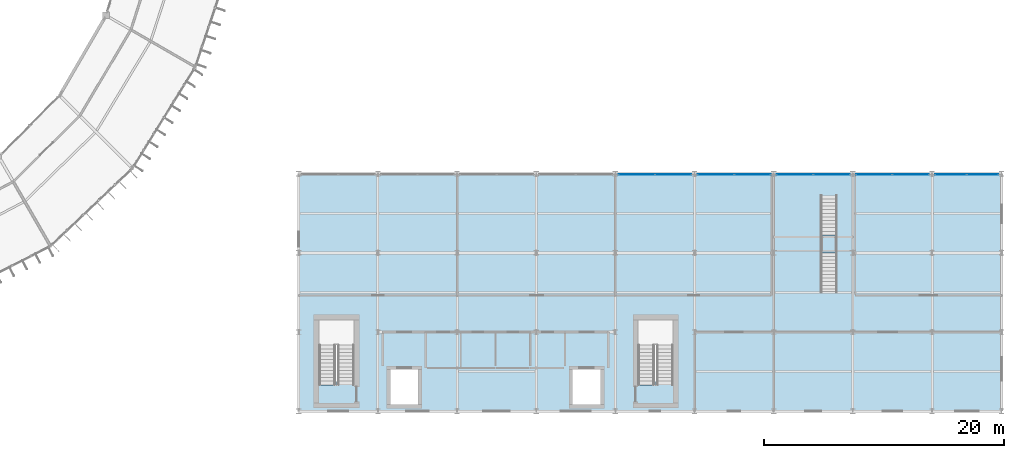
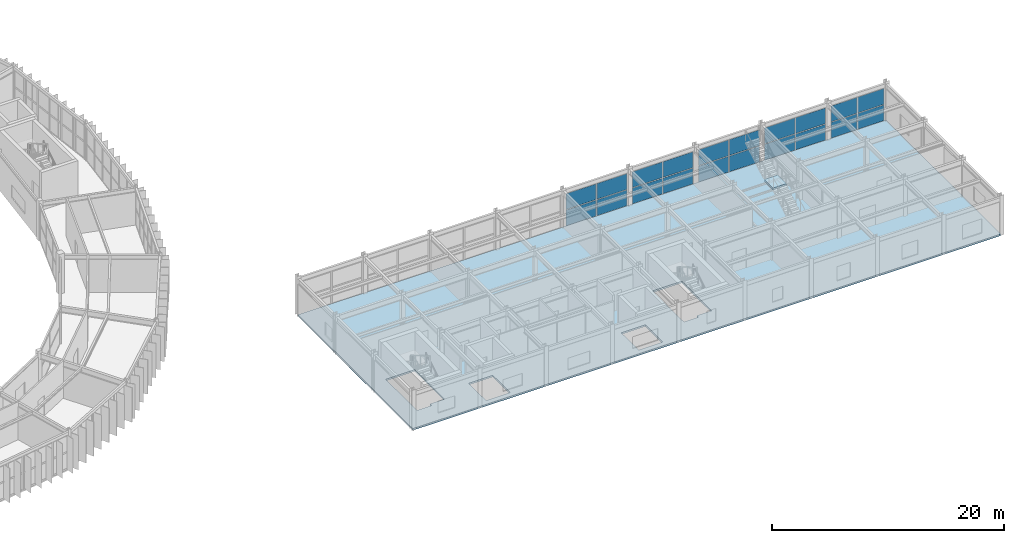
# One storey, part 120 of 157: 20 plates, 2 slabs, 6 elements without a shape of their own.
"""IFC4 building model written with IfcOpenShell, lengths in metres."""

from ifc_helpers import new_model, si_unit, direction, frame, origin, origin_2d, place, context, subcontext, project, spatial, polyline, rectangle, outline, extrude, material, layer, layer_set, type_object, element, aggregate, save


model = new_model("IFC4")

# Units and contexts
model_context = context("Model", 3, precision=1e-05, world=origin(), true_north=direction((0.0, 1.0)))
body_context = subcontext(model_context, "Body", "Model", "MODEL_VIEW")
ifc_project = project(units=[si_unit("LENGTHUNIT", "METRE"), si_unit("AREAUNIT", "SQUARE_METRE"), si_unit("VOLUMEUNIT", "CUBIC_METRE"), si_unit("PLANEANGLEUNIT", "RADIAN"), si_unit("MASSUNIT", "GRAM", prefix="KILO")], contexts=[model_context])

# Site, building, storey
site_placement = place(None, origin())
site = spatial("IfcSite", under=ifc_project, at=site_placement, CompositionType="ELEMENT")
building_placement = place(site_placement, origin())
building = spatial("IfcBuilding", under=site, at=building_placement, Name="Karori Crest Natural Sciences Institute", CompositionType="ELEMENT")
storey_placement = place(building_placement, frame((0.0, 0.0, 13.300048828125)))
storey = spatial("IfcBuildingStorey", under=building, at=storey_placement, Name="L03", CompositionType="ELEMENT", Elevation=13.300048828125)

# Curtain wall, plates
ifc_material_1 = material(Name="Anodised architectural aluminium 6063-T6", Category="aluminium")
curtain_wall_type = type_object("IfcCurtainWallType", Name="CWT-20", PredefinedType="NOTDEFINED", material=ifc_material_1)
curtain_wall_1_placement = place(storey_placement, origin())
curtain_wall_1 = element("IfcCurtainWall", 1, at=curtain_wall_1_placement, inside=storey, type_object=curtain_wall_type, Name="Curtain wall CW-0326", PredefinedType="NOTDEFINED")
ifc_material_2 = material(Name="Double low-E laminated glass", Category="glass")
ifc_layer_1 = layer(ifc_material_2, 0.02392578125, Name="Double low-E laminated glass")
ifc_layer_set_1 = layer_set([ifc_layer_1], Name="Double low-E laminated glass")
plate_type = type_object("IfcPlateType", Name="CWP-01", PredefinedType="CURTAIN_PANEL", material=ifc_layer_set_1)
plate_1_placement = place(storey_placement, frame((131.76513671875, 20.5400390625, 0.059814453125), z_axis=(0.0, 0.0, 1.0), x_axis=(1.0, 0.0, 0.0)))
plate_1 = element("IfcPlate", 2, at=plate_1_placement, type_object=plate_type, Name="CW-0326 panel 1.1", PredefinedType="CURTAIN_PANEL", context=body_context, shape_type="SweptSolid", body=[
    extrude(rectangle(XDim=3.00439453125, YDim=0.02392578125, at=origin_2d()), origin(), (0.0, 0.0, 1.0), 1.66259765625),
])
plate_2_placement = place(storey_placement, frame((131.76513671875, 20.5400390625, 1.782470703125), z_axis=(0.0, 0.0, 1.0), x_axis=(1.0, 0.0, 0.0)))
plate_2 = element("IfcPlate", 3, at=plate_2_placement, type_object=plate_type, Name="CW-0326 panel 1.2", PredefinedType="CURTAIN_PANEL", context=body_context, shape_type="SweptSolid", body=[
    extrude(rectangle(XDim=3.00439453125, YDim=0.02392578125, at=origin_2d()), origin(), (0.0, 0.0, 1.0), 1.66259765625),
])
plate_3_placement = place(storey_placement, frame((134.834716796875, 20.5400390625, 0.059814453125), z_axis=(0.0, 0.0, 1.0), x_axis=(1.0, 0.0, 0.0)))
plate_3 = element("IfcPlate", 4, at=plate_3_placement, type_object=plate_type, Name="CW-0326 panel 2.1", PredefinedType="CURTAIN_PANEL", context=body_context, shape_type="SweptSolid", body=[
    extrude(rectangle(XDim=3.00439453125, YDim=0.02392578125, at=origin_2d()), origin(), (0.0, 0.0, 1.0), 1.66259765625),
])
plate_4_placement = place(storey_placement, frame((134.834716796875, 20.5400390625, 1.782470703125), z_axis=(0.0, 0.0, 1.0), x_axis=(1.0, 0.0, 0.0)))
plate_4 = element("IfcPlate", 5, at=plate_4_placement, type_object=plate_type, Name="CW-0326 panel 2.2", PredefinedType="CURTAIN_PANEL", context=body_context, shape_type="SweptSolid", body=[
    extrude(rectangle(XDim=3.00439453125, YDim=0.02392578125, at=origin_2d()), origin(), (0.0, 0.0, 1.0), 1.66259765625),
])
aggregate(curtain_wall_1, [plate_1, plate_2, plate_3, plate_4])

curtain_wall_2_placement = place(storey_placement, origin())
curtain_wall_2 = element("IfcCurtainWall", 6, at=curtain_wall_2_placement, inside=storey, type_object=curtain_wall_type, Name="Curtain wall CW-0327", PredefinedType="NOTDEFINED")
plate_5_placement = place(storey_placement, frame((138.365234375, 20.5400390625, 0.059814453125), z_axis=(0.0, 0.0, 1.0), x_axis=(1.0, 0.0, 0.0)))
plate_5 = element("IfcPlate", 7, at=plate_5_placement, type_object=plate_type, Name="CW-0327 panel 1.1", PredefinedType="CURTAIN_PANEL", context=body_context, shape_type="SweptSolid", body=[
    extrude(rectangle(XDim=3.00439453125, YDim=0.02392578125, at=origin_2d()), origin(), (0.0, 0.0, 1.0), 1.66259765625),
])
plate_6_placement = place(storey_placement, frame((138.365234375, 20.5400390625, 1.782470703125), z_axis=(0.0, 0.0, 1.0), x_axis=(1.0, 0.0, 0.0)))
plate_6 = element("IfcPlate", 8, at=plate_6_placement, type_object=plate_type, Name="CW-0327 panel 1.2", PredefinedType="CURTAIN_PANEL", context=body_context, shape_type="SweptSolid", body=[
    extrude(rectangle(XDim=3.00439453125, YDim=0.02392578125, at=origin_2d()), origin(), (0.0, 0.0, 1.0), 1.66259765625),
])
plate_7_placement = place(storey_placement, frame((141.434814453125, 20.5400390625, 0.059814453125), z_axis=(0.0, 0.0, 1.0), x_axis=(1.0, 0.0, 0.0)))
plate_7 = element("IfcPlate", 9, at=plate_7_placement, type_object=plate_type, Name="CW-0327 panel 2.1", PredefinedType="CURTAIN_PANEL", context=body_context, shape_type="SweptSolid", body=[
    extrude(rectangle(XDim=3.00439453125, YDim=0.02392578125, at=origin_2d()), origin(), (0.0, 0.0, 1.0), 1.66259765625),
])
plate_8_placement = place(storey_placement, frame((141.434814453125, 20.5400390625, 1.782470703125), z_axis=(0.0, 0.0, 1.0), x_axis=(1.0, 0.0, 0.0)))
plate_8 = element("IfcPlate", 10, at=plate_8_placement, type_object=plate_type, Name="CW-0327 panel 2.2", PredefinedType="CURTAIN_PANEL", context=body_context, shape_type="SweptSolid", body=[
    extrude(rectangle(XDim=3.00439453125, YDim=0.02392578125, at=origin_2d()), origin(), (0.0, 0.0, 1.0), 1.66259765625),
])
aggregate(curtain_wall_2, [plate_5, plate_6, plate_7, plate_8])

curtain_wall_3_placement = place(storey_placement, origin())
curtain_wall_3 = element("IfcCurtainWall", 11, at=curtain_wall_3_placement, inside=storey, type_object=curtain_wall_type, Name="Curtain wall CW-0328", PredefinedType="NOTDEFINED")
plate_9_placement = place(storey_placement, frame((144.96533203125, 20.5400390625, 0.059814453125), z_axis=(0.0, 0.0, 1.0), x_axis=(1.0, 0.0, 0.0)))
plate_9 = element("IfcPlate", 12, at=plate_9_placement, type_object=plate_type, Name="CW-0328 panel 1.1", PredefinedType="CURTAIN_PANEL", context=body_context, shape_type="SweptSolid", body=[
    extrude(rectangle(XDim=3.00439453125, YDim=0.02392578125, at=origin_2d()), origin(), (0.0, 0.0, 1.0), 1.66259765625),
])
plate_10_placement = place(storey_placement, frame((144.96533203125, 20.5400390625, 1.782470703125), z_axis=(0.0, 0.0, 1.0), x_axis=(1.0, 0.0, 0.0)))
plate_10 = element("IfcPlate", 13, at=plate_10_placement, type_object=plate_type, Name="CW-0328 panel 1.2", PredefinedType="CURTAIN_PANEL", context=body_context, shape_type="SweptSolid", body=[
    extrude(rectangle(XDim=3.00439453125, YDim=0.02392578125, at=origin_2d()), origin(), (0.0, 0.0, 1.0), 1.66259765625),
])
plate_11_placement = place(storey_placement, frame((148.03466796875, 20.5400390625, 0.059814453125), z_axis=(0.0, 0.0, 1.0), x_axis=(1.0, 0.0, 0.0)))
plate_11 = element("IfcPlate", 14, at=plate_11_placement, type_object=plate_type, Name="CW-0328 panel 2.1", PredefinedType="CURTAIN_PANEL", context=body_context, shape_type="SweptSolid", body=[
    extrude(rectangle(XDim=3.00439453125, YDim=0.02392578125, at=origin_2d()), origin(), (0.0, 0.0, 1.0), 1.66259765625),
])
plate_12_placement = place(storey_placement, frame((148.03466796875, 20.5400390625, 1.782470703125), z_axis=(0.0, 0.0, 1.0), x_axis=(1.0, 0.0, 0.0)))
plate_12 = element("IfcPlate", 15, at=plate_12_placement, type_object=plate_type, Name="CW-0328 panel 2.2", PredefinedType="CURTAIN_PANEL", context=body_context, shape_type="SweptSolid", body=[
    extrude(rectangle(XDim=3.00439453125, YDim=0.02392578125, at=origin_2d()), origin(), (0.0, 0.0, 1.0), 1.66259765625),
])
aggregate(curtain_wall_3, [plate_9, plate_10, plate_11, plate_12])

curtain_wall_4_placement = place(storey_placement, origin())
curtain_wall_4 = element("IfcCurtainWall", 16, at=curtain_wall_4_placement, inside=storey, type_object=curtain_wall_type, Name="Curtain wall CW-0329", PredefinedType="NOTDEFINED")
plate_13_placement = place(storey_placement, frame((151.565185546875, 20.5400390625, 0.059814453125), z_axis=(0.0, 0.0, 1.0), x_axis=(1.0, 0.0, 0.0)))
plate_13 = element("IfcPlate", 17, at=plate_13_placement, type_object=plate_type, Name="CW-0329 panel 1.1", PredefinedType="CURTAIN_PANEL", context=body_context, shape_type="SweptSolid", body=[
    extrude(rectangle(XDim=3.00439453125, YDim=0.02392578125, at=origin_2d()), origin(), (0.0, 0.0, 1.0), 1.66259765625),
])
plate_14_placement = place(storey_placement, frame((151.565185546875, 20.5400390625, 1.782470703125), z_axis=(0.0, 0.0, 1.0), x_axis=(1.0, 0.0, 0.0)))
plate_14 = element("IfcPlate", 18, at=plate_14_placement, type_object=plate_type, Name="CW-0329 panel 1.2", PredefinedType="CURTAIN_PANEL", context=body_context, shape_type="SweptSolid", body=[
    extrude(rectangle(XDim=3.00439453125, YDim=0.02392578125, at=origin_2d()), origin(), (0.0, 0.0, 1.0), 1.66259765625),
])
plate_15_placement = place(storey_placement, frame((154.634765625, 20.5400390625, 0.059814453125), z_axis=(0.0, 0.0, 1.0), x_axis=(1.0, 0.0, 0.0)))
plate_15 = element("IfcPlate", 19, at=plate_15_placement, type_object=plate_type, Name="CW-0329 panel 2.1", PredefinedType="CURTAIN_PANEL", context=body_context, shape_type="SweptSolid", body=[
    extrude(rectangle(XDim=3.00439453125, YDim=0.02392578125, at=origin_2d()), origin(), (0.0, 0.0, 1.0), 1.66259765625),
])
plate_16_placement = place(storey_placement, frame((154.634765625, 20.5400390625, 1.782470703125), z_axis=(0.0, 0.0, 1.0), x_axis=(1.0, 0.0, 0.0)))
plate_16 = element("IfcPlate", 20, at=plate_16_placement, type_object=plate_type, Name="CW-0329 panel 2.2", PredefinedType="CURTAIN_PANEL", context=body_context, shape_type="SweptSolid", body=[
    extrude(rectangle(XDim=3.00439453125, YDim=0.02392578125, at=origin_2d()), origin(), (0.0, 0.0, 1.0), 1.66259765625),
])
aggregate(curtain_wall_4, [plate_13, plate_14, plate_15, plate_16])

curtain_wall_5_placement = place(storey_placement, origin())
curtain_wall_5 = element("IfcCurtainWall", 21, at=curtain_wall_5_placement, inside=storey, type_object=curtain_wall_type, Name="Curtain wall CW-0330", PredefinedType="NOTDEFINED")
plate_17_placement = place(storey_placement, frame((157.96533203125, 20.5400390625, 0.059814453125), z_axis=(0.0, 0.0, 1.0), x_axis=(1.0, 0.0, 0.0)))
plate_17 = element("IfcPlate", 22, at=plate_17_placement, type_object=plate_type, Name="CW-0330 panel 1.1", PredefinedType="CURTAIN_PANEL", context=body_context, shape_type="SweptSolid", body=[
    extrude(rectangle(XDim=2.6044921875, YDim=0.02392578125, at=origin_2d()), origin(), (0.0, 0.0, 1.0), 1.66259765625),
])
plate_18_placement = place(storey_placement, frame((157.96533203125, 20.5400390625, 1.782470703125), z_axis=(0.0, 0.0, 1.0), x_axis=(1.0, 0.0, 0.0)))
plate_18 = element("IfcPlate", 23, at=plate_18_placement, type_object=plate_type, Name="CW-0330 panel 1.2", PredefinedType="CURTAIN_PANEL", context=body_context, shape_type="SweptSolid", body=[
    extrude(rectangle(XDim=2.6044921875, YDim=0.02392578125, at=origin_2d()), origin(), (0.0, 0.0, 1.0), 1.66259765625),
])
plate_19_placement = place(storey_placement, frame((160.634765625, 20.5400390625, 0.059814453125), z_axis=(0.0, 0.0, 1.0), x_axis=(1.0, 0.0, 0.0)))
plate_19 = element("IfcPlate", 24, at=plate_19_placement, type_object=plate_type, Name="CW-0330 panel 2.1", PredefinedType="CURTAIN_PANEL", context=body_context, shape_type="SweptSolid", body=[
    extrude(rectangle(XDim=2.6044921875, YDim=0.02392578125, at=origin_2d()), origin(), (0.0, 0.0, 1.0), 1.66259765625),
])
plate_20_placement = place(storey_placement, frame((160.634765625, 20.5400390625, 1.782470703125), z_axis=(0.0, 0.0, 1.0), x_axis=(1.0, 0.0, 0.0)))
plate_20 = element("IfcPlate", 25, at=plate_20_placement, type_object=plate_type, Name="CW-0330 panel 2.2", PredefinedType="CURTAIN_PANEL", context=body_context, shape_type="SweptSolid", body=[
    extrude(rectangle(XDim=2.6044921875, YDim=0.02392578125, at=origin_2d()), origin(), (0.0, 0.0, 1.0), 1.66259765625),
])
aggregate(curtain_wall_5, [plate_17, plate_18, plate_19, plate_20])

# Slab
ifc_material_3 = material(Name="Concrete 40 MPa", Category="concrete")
ifc_layer_2 = layer(ifc_material_3, 0.179931640625, Name="Concrete 40 MPa")
ifc_layer_set_2 = layer_set([ifc_layer_2], Name="Concrete 40 MPa")
slab_type_1 = type_object("IfcSlabType", Name="SLT-09", PredefinedType="FLOOR", material=ifc_layer_set_2)
slab_1_placement = place(storey_placement, frame((0.0, 0.0, -0.179931640625)))
element("IfcSlab", 26, at=slab_1_placement, inside=storey, type_object=slab_type_1, Name="V5 Slab SL-0166", PredefinedType="FLOOR", context=body_context, shape_type="SweptSolid", body=[
    extrude(outline(polyline([(103.60009765625, 0.800048828125), (162.199951171875, 0.800048828125), (162.199951171875, 20.60009765625), (103.60009765625, 20.60009765625), (103.60009765625, 0.800048828125)]), holes=[polyline([(108.199951171875, 3.280029296875), (106.75, 3.280029296875), (106.75, 3.00048828125), (105.300048828125, 3.00048828125), (105.300048828125, 8.39990234375), (108.199951171875, 8.39990234375), (108.199951171875, 3.280029296875)]), polyline([(134.800048828125, 3.280029296875), (133.35009765625, 3.280029296875), (133.35009765625, 3.00048828125), (131.89990234375, 3.00048828125), (131.89990234375, 8.39990234375), (134.800048828125, 8.39990234375), (134.800048828125, 3.280029296875)]), polyline([(111.199951171875, 4.300048828125), (113.60009765625, 4.300048828125), (113.60009765625, 1.300048828125), (111.199951171875, 1.300048828125), (111.199951171875, 4.300048828125)]), polyline([(126.39990234375, 4.300048828125), (128.800048828125, 4.300048828125), (128.800048828125, 1.300048828125), (126.39990234375, 1.300048828125), (126.39990234375, 4.300048828125)])]), origin(), (0.0, 0.0, 1.0), 0.179931640625),
])

# Stair, slab
stair_type = type_object("IfcStairType", Name="STT-05", PredefinedType="STRAIGHT_RUN_STAIR", material=ifc_material_3)
stair_placement = place(storey_placement, origin())
stair = element("IfcStair", 27, at=stair_placement, inside=storey, type_object=stair_type, Name="Feature straight stair ST-15", PredefinedType="STRAIGHT_RUN_STAIR")
ifc_layer_3 = layer(ifc_material_3, 0.2099609375, Name="Concrete 40 MPa")
ifc_layer_set_3 = layer_set([ifc_layer_3], Name="Concrete 40 MPa")
slab_type_2 = type_object("IfcSlabType", Name="SLT-11", PredefinedType="LANDING", material=ifc_layer_set_3)
slab_2_placement = place(storey_placement, frame((0.0, 0.0, 1.889892578125)))
slab_2 = element("IfcSlab", 28, at=slab_2_placement, type_object=slab_type_2, Name="ST-15 landing 1", PredefinedType="LANDING", context=body_context, shape_type="SweptSolid", body=[
    extrude(outline(polyline([(147.125, 14.0), (148.47509765625, 14.0), (148.47509765625, 15.5), (147.125, 15.5), (147.125, 14.0)])), origin(), (0.0, 0.0, 1.0), 0.2099609375),
])
aggregate(stair, [slab_2])

save(model, "model.ifc")
